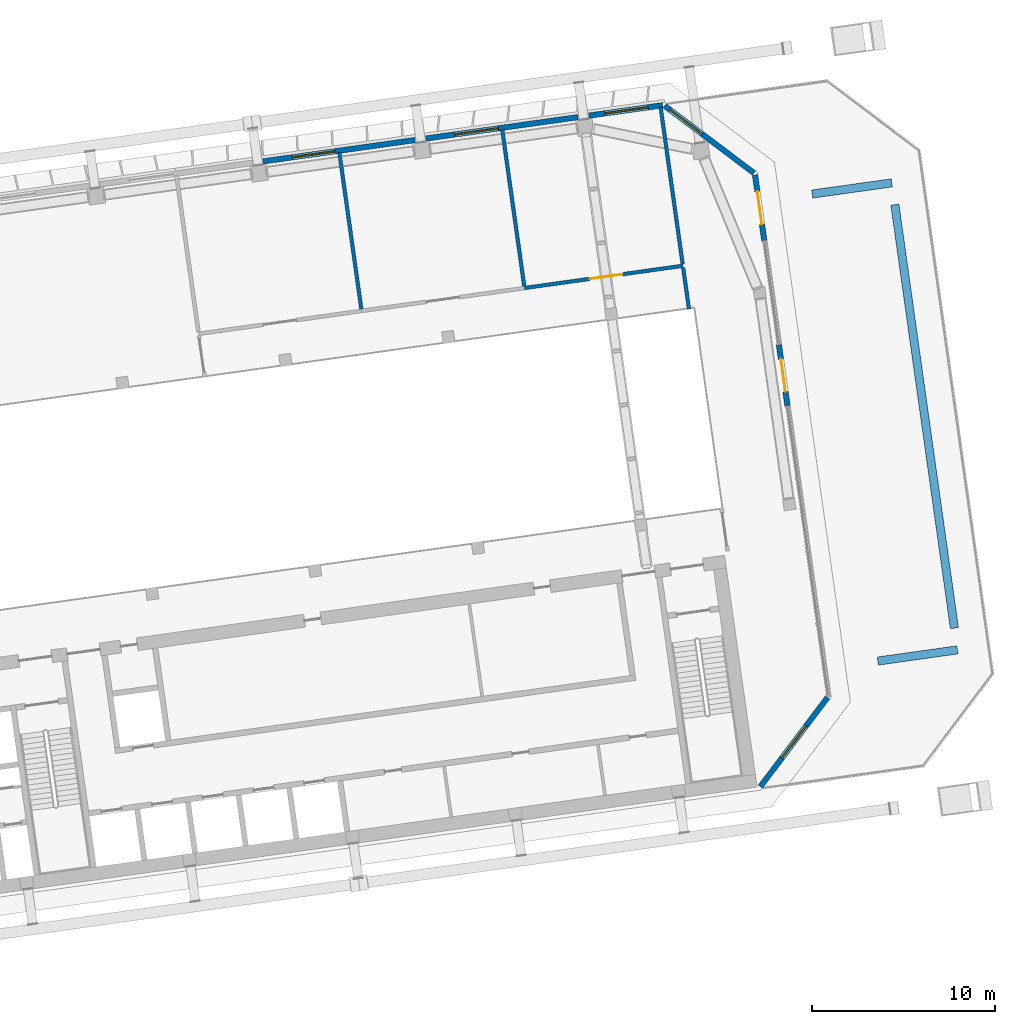
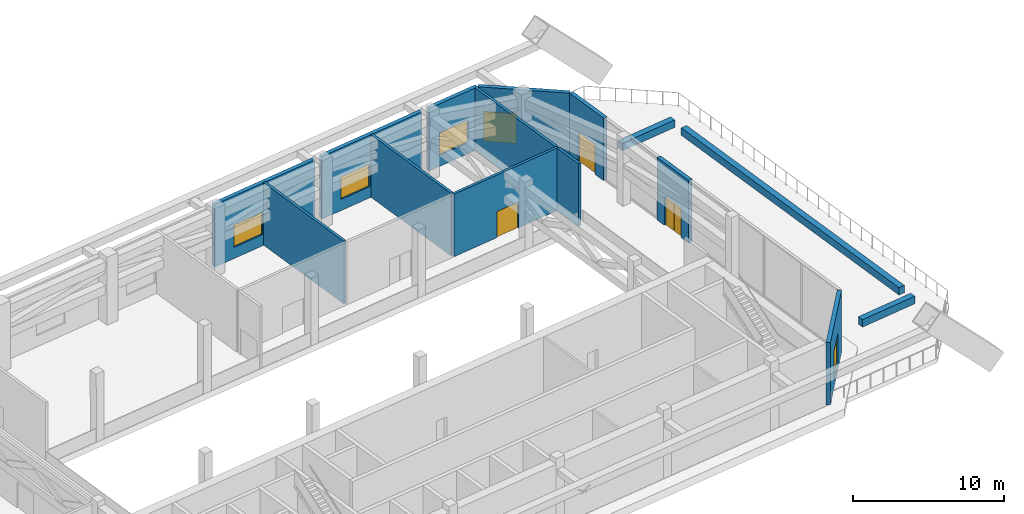
# One storey, part 25 of 41: 15 walls, 5 windows, 3 doors, 8 openings.
"""IFC4 building model written with IfcOpenShell, lengths in metres."""

from ifc_helpers import new_model, si_unit, direction, frame, frame_2d, origin, place, context, subcontext, project, spatial, rectangle, extrude, material, layer, layer_set, type_object, element, fill, save


model = new_model("IFC4")

# Units and contexts
model_context = context("Model", 3, precision=1e-05, world=origin(), true_north=direction((0.0, 1.0)))
body_context = subcontext(model_context, "Body", "Model", "MODEL_VIEW")
ifc_project = project(units=[si_unit("LENGTHUNIT", "METRE"), si_unit("AREAUNIT", "SQUARE_METRE"), si_unit("VOLUMEUNIT", "CUBIC_METRE"), si_unit("PLANEANGLEUNIT", "RADIAN"), si_unit("MASSUNIT", "GRAM", prefix="KILO")], contexts=[model_context])

# Site, building, storey
site_placement = place(None, origin())
site = spatial("IfcSite", under=ifc_project, at=site_placement, CompositionType="ELEMENT")
building_placement = place(site_placement, origin())
building = spatial("IfcBuilding", under=site, at=building_placement, Name="Mirante Cascada Hotel Towers", CompositionType="ELEMENT")
storey_placement = place(building_placement, frame((0.0, 0.0, 151.9)))
storey = spatial("IfcBuildingStorey", under=building, at=storey_placement, Name="L35", CompositionType="ELEMENT", Elevation=151.9)

# Walls
ifc_material_1 = material(Name="Precast concrete C40/50", Category="concrete")
ifc_layer_1 = layer(ifc_material_1, 0.45)
ifc_layer_set_1 = layer_set([ifc_layer_1], Name="Planter wall 450 concrete C40/50")
wall_type_1 = type_object("IfcWallType", Name="Planter wall 450 concrete C40/50", PredefinedType="PARAPET", material=ifc_layer_set_1)
for number, where, z_axis, x_axis, name in (
    (1, (96.955, -5.6169, 0.0), (0.0, 0.0, 1.0), (0.990267, 0.139181, 0.0), "PLANTER T2 L35 bed 1"),
    (2, (93.3643, 19.932, 0.0), (0.0, 0.0, 1.0), (0.990267, 0.139181, 0.0), "PLANTER T2 L35 bed 2"),
):
    element("IfcWall", number, at=place(storey_placement, frame(where, z_axis=z_axis, x_axis=x_axis)), inside=storey, type_object=wall_type_1, Name=name, PredefinedType="PARAPET", context=body_context, shape_type="SweptSolid", body=[
        extrude(rectangle(XDim=4.4, YDim=0.45, at=frame_2d((2.2, 0.0))), origin(), (0.0, 0.0, 1.0), 0.6),
    ])
wall_1_placement = place(storey_placement, frame((101.1451, -3.8162, 0.0), z_axis=(0.0, 0.0, 1.0), x_axis=(-0.1391708, 0.9902684, 0.0)))
element("IfcWall", 3, at=wall_1_placement, inside=storey, type_object=wall_type_1, Name="PLANTER T2 L35 bed 3", PredefinedType="PARAPET", context=body_context, shape_type="SweptSolid", body=[
    extrude(rectangle(XDim=23.4, YDim=0.45, at=frame_2d((11.7, 0.0))), origin(), (0.0, 0.0, 1.0), 0.6),
])

# Wall, opening, window
ifc_material_2 = material(Name="Precast concrete C40/50", Category="concrete")
ifc_layer_2 = layer(ifc_material_2, 0.3)
ifc_layer_set_2 = layer_set([ifc_layer_2], Name="Precast concrete C40/50 cladding wall 300")
wall_type_2 = type_object("IfcWallType", Name="Precast concrete C40/50 cladding wall 300", PredefinedType="STANDARD", material=ifc_layer_set_2)
wall_2_placement = place(storey_placement, frame((63.3233, 21.7185, 0.0), z_axis=(0.0, 0.0, 1.0), x_axis=(0.9902674, 0.1391777, 0.0)))
wall_2 = element("IfcWall", 4, at=wall_2_placement, inside=storey, type_object=wall_type_2, Name="Cladding pier wall T2 L35 front 5", PredefinedType="STANDARD", context=body_context, shape_type="SweptSolid", body=[
    extrude(rectangle(XDim=8.4001, YDim=0.3, at=frame_2d((4.2, 0.0))), origin(), (0.0, 0.0, 1.0), 5.05),
])
opening_1_placement = place(wall_2_placement, frame((1.6, 0.0, 0.9)))
opening_1 = element("IfcOpeningElement", 5, at=opening_1_placement, cuts=wall_2, Name="Opening W2-35-05", PredefinedType="OPENING", context=body_context, shape_type="SweptSolid", body=[
    extrude(rectangle(XDim=2.4, YDim=1.8, at=frame_2d((1.2, 0.9))), frame((0.0, 0.15, 0.0), z_axis=(0.0, -1.0, 0.0), x_axis=(1.0, 0.0, 0.0)), (0.0, 0.0, 1.0), 0.3),
])
ifc_material_3 = material(Name="Aluminium frame with clear double glazing", Category="aluminium")
window_type_1 = type_object("IfcWindowType", Name="Punched window 2400x1800", PartitioningType="DOUBLE_PANEL_VERTICAL", PredefinedType="WINDOW", material=ifc_material_3)
window_1_placement = place(opening_1_placement, origin())
window_1 = element("IfcWindow", 6, at=window_1_placement, inside=storey, type_object=window_type_1, Name="Window W2-35-05", OverallHeight=1.8, OverallWidth=2.4, PartitioningType="SINGLE_PANEL", PredefinedType="WINDOW", context=body_context, shape_type="SweptSolid", body=[
    extrude(rectangle(XDim=2.4, YDim=1.8, at=frame_2d((1.2, 0.9))), frame((0.0, 0.03, 0.0), z_axis=(0.0, -1.0, 0.0), x_axis=(1.0, 0.0, 0.0)), (0.0, 0.0, 1.0), 0.06),
])
fill(opening_1, window_1)

wall_3_placement = place(storey_placement, frame((72.2357, 22.9711, 0.0), z_axis=(0.0, 0.0, 1.0), x_axis=(0.9902691, 0.139166, 0.0)))
wall_3 = element("IfcWall", 7, at=wall_3_placement, inside=storey, type_object=wall_type_2, Name="Cladding pier wall T2 L35 front 6", PredefinedType="STANDARD", context=body_context, shape_type="SweptSolid", body=[
    extrude(rectangle(XDim=8.4, YDim=0.3, at=frame_2d((4.2, 0.0))), origin(), (0.0, 0.0, 1.0), 5.05),
])
opening_2_placement = place(wall_3_placement, frame((1.6, 0.0, 0.9)))
opening_2 = element("IfcOpeningElement", 8, at=opening_2_placement, cuts=wall_3, Name="Opening W2-35-06", PredefinedType="OPENING", context=body_context, shape_type="SweptSolid", body=[
    extrude(rectangle(XDim=2.4, YDim=1.8, at=frame_2d((1.2, 0.9))), frame((0.0, 0.15, 0.0), z_axis=(0.0, -1.0, 0.0), x_axis=(1.0, 0.0, 0.0)), (0.0, 0.0, 1.0), 0.3),
])
window_2_placement = place(opening_2_placement, origin())
window_2 = element("IfcWindow", 9, at=window_2_placement, inside=storey, type_object=window_type_1, Name="Window W2-35-06", OverallHeight=1.8, OverallWidth=2.4, PartitioningType="SINGLE_PANEL", PredefinedType="WINDOW", context=body_context, shape_type="SweptSolid", body=[
    extrude(rectangle(XDim=2.4, YDim=1.8, at=frame_2d((1.2, 0.9))), frame((0.0, 0.03, 0.0), z_axis=(0.0, -1.0, 0.0), x_axis=(1.0, 0.0, 0.0)), (0.0, 0.0, 1.0), 0.06),
])
fill(opening_2, window_2)

wall_4_placement = place(storey_placement, frame((81.1481, 24.2237, 0.0), z_axis=(0.0, 0.0, 1.0), x_axis=(0.9902698, 0.1391609, 0.0)))
wall_4 = element("IfcWall", 10, at=wall_4_placement, inside=storey, type_object=wall_type_2, Name="Cladding pier wall T2 L35 front 7", PredefinedType="STANDARD", context=body_context, shape_type="SweptSolid", body=[
    extrude(rectangle(XDim=4.0759, YDim=0.3, at=frame_2d((2.038, 0.0))), origin(), (0.0, 0.0, 1.0), 5.05),
])
opening_3_placement = place(wall_4_placement, frame((0.8689, 0.0, 0.9)))
opening_3 = element("IfcOpeningElement", 11, at=opening_3_placement, cuts=wall_4, Name="Opening W2-35-07", PredefinedType="OPENING", context=body_context, shape_type="SweptSolid", body=[
    extrude(rectangle(XDim=2.4, YDim=1.8, at=frame_2d((1.2, 0.9))), frame((0.0, 0.15, 0.0), z_axis=(0.0, -1.0, 0.0), x_axis=(1.0, 0.0, 0.0)), (0.0, 0.0, 1.0), 0.3),
])
window_3_placement = place(opening_3_placement, origin())
window_3 = element("IfcWindow", 12, at=window_3_placement, inside=storey, type_object=window_type_1, Name="Window W2-35-07", OverallHeight=1.8, OverallWidth=2.4, PartitioningType="SINGLE_PANEL", PredefinedType="WINDOW", context=body_context, shape_type="SweptSolid", body=[
    extrude(rectangle(XDim=2.4, YDim=1.8, at=frame_2d((1.2, 0.9))), frame((0.0, 0.03, 0.0), z_axis=(0.0, -1.0, 0.0), x_axis=(1.0, 0.0, 0.0)), (0.0, 0.0, 1.0), 0.06),
])
fill(opening_3, window_3)

wall_5_placement = place(storey_placement, frame((90.5299, -12.4841, 0.0), z_axis=(0.0, 0.0, 1.0), x_axis=(0.6018063, 0.7986421, 0.0)))
wall_5 = element("IfcWall", 13, at=wall_5_placement, inside=storey, type_object=wall_type_2, Name="Corner cladding wall T2 L35 rear outer", PredefinedType="STANDARD", context=body_context, shape_type="SweptSolid", body=[
    extrude(rectangle(XDim=6.1158, YDim=0.3, at=frame_2d((3.0579, 0.0))), origin(), (0.0, 0.0, 1.0), 5.05),
])
opening_4_placement = place(wall_5_placement, frame((1.9578, 0.0, 0.6)))
opening_4 = element("IfcOpeningElement", 14, at=opening_4_placement, cuts=wall_5, Name="Opening W2-35-08", PredefinedType="OPENING", context=body_context, shape_type="SweptSolid", body=[
    extrude(rectangle(XDim=2.2, YDim=2.4, at=frame_2d((1.1, 1.2))), frame((0.0, 0.15, 0.0), z_axis=(0.0, -1.0, 0.0), x_axis=(1.0, 0.0, 0.0)), (0.0, 0.0, 1.0), 0.3),
])
ifc_material_4 = material(Name="Aluminium frame with clear double glazing", Category="aluminium")
window_type_2 = type_object("IfcWindowType", Name="Corner suite window 2200x2400", PartitioningType="DOUBLE_PANEL_VERTICAL", PredefinedType="WINDOW", material=ifc_material_4)
window_4_placement = place(opening_4_placement, origin())
window_4 = element("IfcWindow", 15, at=window_4_placement, inside=storey, type_object=window_type_2, Name="Window W2-35-08", OverallHeight=2.4, OverallWidth=2.2, PartitioningType="SINGLE_PANEL", PredefinedType="WINDOW", context=body_context, shape_type="SweptSolid", body=[
    extrude(rectangle(XDim=2.2, YDim=2.4, at=frame_2d((1.1, 1.2))), frame((0.0, 0.03, 0.0), z_axis=(0.0, -1.0, 0.0), x_axis=(1.0, 0.0, 0.0)), (0.0, 0.0, 1.0), 0.06),
])
fill(opening_4, window_4)

wall_6_placement = place(storey_placement, frame((90.1793, 21.0818, 0.0), z_axis=(0.0, 0.0, 1.0), x_axis=(-0.7986341, 0.6018168, 0.0)))
wall_6 = element("IfcWall", 16, at=wall_6_placement, inside=storey, type_object=wall_type_2, Name="Corner cladding wall T2 L35 outer front", PredefinedType="STANDARD", context=body_context, shape_type="SweptSolid", body=[
    extrude(rectangle(XDim=6.1153, YDim=0.3, at=frame_2d((3.0577, 0.0))), origin(), (0.0, 0.0, 1.0), 5.05),
])
opening_5_placement = place(wall_6_placement, frame((3.5518, 0.0, 0.6)))
opening_5 = element("IfcOpeningElement", 17, at=opening_5_placement, cuts=wall_6, Name="Opening W2-35-09", PredefinedType="OPENING", context=body_context, shape_type="SweptSolid", body=[
    extrude(rectangle(XDim=2.2, YDim=2.4, at=frame_2d((1.1, 1.2))), frame((0.0, 0.15, 0.0), z_axis=(0.0, -1.0, 0.0), x_axis=(1.0, 0.0, 0.0)), (0.0, 0.0, 1.0), 0.3),
])
window_5_placement = place(opening_5_placement, origin())
window_5 = element("IfcWindow", 18, at=window_5_placement, inside=storey, type_object=window_type_2, Name="Window W2-35-09", OverallHeight=2.4, OverallWidth=2.2, PartitioningType="SINGLE_PANEL", PredefinedType="WINDOW", context=body_context, shape_type="SweptSolid", body=[
    extrude(rectangle(XDim=2.2, YDim=2.4, at=frame_2d((1.1, 1.2))), frame((0.0, 0.03, 0.0), z_axis=(0.0, -1.0, 0.0), x_axis=(1.0, 0.0, 0.0)), (0.0, 0.0, 1.0), 0.06),
])
fill(opening_5, window_5)

# Wall, opening, door
ifc_material_5 = material(Name="Precast concrete C40/50", Category="concrete")
ifc_layer_3 = layer(ifc_material_5, 0.3)
ifc_layer_set_3 = layer_set([ifc_layer_3], Name="Precast concrete C40/50 terrace wall 300")
wall_type_3 = type_object("IfcWallType", Name="Precast concrete C40/50 terrace wall 300", PredefinedType="STANDARD", material=ifc_layer_set_3)
wall_7_placement = place(storey_placement, frame((92.0157, 8.3315, 0.0), z_axis=(0.0, 0.0, 1.0), x_axis=(-0.1391769, 0.9902675, 0.0)))
wall_7 = element("IfcWall", 19, at=wall_7_placement, inside=storey, type_object=wall_type_3, Name="Lounge door pier wall T2 L35 2", PredefinedType="STANDARD", context=body_context, shape_type="SweptSolid", body=[
    extrude(rectangle(XDim=3.4, YDim=0.3, at=frame_2d((1.7, 0.0))), origin(), (0.0, 0.0, 1.0), 5.05),
])
opening_6_placement = place(wall_7_placement, frame((0.8, 0.0, 0.0)))
opening_6 = element("IfcOpeningElement", 20, at=opening_6_placement, cuts=wall_7, Name="Opening D2-35-91", PredefinedType="OPENING", context=body_context, shape_type="SweptSolid", body=[
    extrude(rectangle(XDim=1.8, YDim=2.4, at=frame_2d((0.9, 1.2))), frame((0.0, 0.15, 0.0), z_axis=(0.0, -1.0, 0.0), x_axis=(1.0, 0.0, 0.0)), (0.0, 0.0, 1.0), 0.3),
])
ifc_material_6 = material(Name="Aluminium frame with clear laminated glazing", Category="aluminium")
door_type_1 = type_object("IfcDoorType", Name="Terrace double door 1800x2400", OperationType="DOUBLE_DOOR_SINGLE_SWING", PredefinedType="DOOR", material=ifc_material_6)
door_1_placement = place(opening_6_placement, origin())
door_1 = element("IfcDoor", 21, at=door_1_placement, inside=storey, type_object=door_type_1, Name="Terrace door D2-35-91", OperationType="DOUBLE_DOOR_SINGLE_SWING", OverallHeight=2.4, OverallWidth=1.8, PredefinedType="DOOR", context=body_context, shape_type="SweptSolid", body=[
    extrude(rectangle(XDim=0.895, YDim=2.4, at=frame_2d((0.4475, 1.2))), frame((0.0, 0.025, 0.0), z_axis=(0.0, -1.0, 0.0), x_axis=(1.0, 0.0, 0.0)), (0.0, 0.0, 1.0), 0.05),
    extrude(rectangle(XDim=0.895, YDim=2.4, at=frame_2d((1.3525, 1.2))), frame((0.0, 0.025, 0.0), z_axis=(0.0, -1.0, 0.0), x_axis=(1.0, 0.0, 0.0)), (0.0, 0.0, 1.0), 0.05),
])
fill(opening_6, door_1)

wall_8_placement = place(storey_placement, frame((90.7439, 17.3804, 0.0), z_axis=(0.0, 0.0, 1.0), x_axis=(-0.1391735, 0.990268, 0.0)))
wall_8 = element("IfcWall", 22, at=wall_8_placement, inside=storey, type_object=wall_type_3, Name="Lounge door pier wall T2 L35 4", PredefinedType="STANDARD", context=body_context, shape_type="SweptSolid", body=[
    extrude(rectangle(XDim=3.6379, YDim=0.3, at=frame_2d((1.819, 0.0))), origin(), (0.0, 0.0, 1.0), 5.05),
])
opening_7_placement = place(wall_8_placement, frame((0.919, 0.0, 0.0)))
opening_7 = element("IfcOpeningElement", 23, at=opening_7_placement, cuts=wall_8, Name="Opening D2-35-92", PredefinedType="OPENING", context=body_context, shape_type="SweptSolid", body=[
    extrude(rectangle(XDim=1.8, YDim=2.4, at=frame_2d((0.9, 1.2))), frame((0.0, 0.15, 0.0), z_axis=(0.0, -1.0, 0.0), x_axis=(1.0, 0.0, 0.0)), (0.0, 0.0, 1.0), 0.3),
])
door_2_placement = place(opening_7_placement, origin())
door_2 = element("IfcDoor", 24, at=door_2_placement, inside=storey, type_object=door_type_1, Name="Terrace door D2-35-92", OperationType="DOUBLE_DOOR_SINGLE_SWING", OverallHeight=2.4, OverallWidth=1.8, PredefinedType="DOOR", context=body_context, shape_type="SweptSolid", body=[
    extrude(rectangle(XDim=0.895, YDim=2.4, at=frame_2d((0.4475, 1.2))), frame((0.0, 0.025, 0.0), z_axis=(0.0, -1.0, 0.0), x_axis=(1.0, 0.0, 0.0)), (0.0, 0.0, 1.0), 0.05),
    extrude(rectangle(XDim=0.895, YDim=2.4, at=frame_2d((1.3525, 1.2))), frame((0.0, 0.025, 0.0), z_axis=(0.0, -1.0, 0.0), x_axis=(1.0, 0.0, 0.0)), (0.0, 0.0, 1.0), 0.05),
])
fill(opening_7, door_2)

ifc_material_7 = material(Name="Masonry block", Category="masonry")
ifc_layer_4 = layer(ifc_material_7, 0.2)
ifc_layer_set_4 = layer_set([ifc_layer_4], Name="Refuge and plant wall 200 block EI 120")
wall_type_4 = type_object("IfcWallType", Name="Refuge and plant wall 200 block EI 120", PredefinedType="PARTITIONING", material=ifc_layer_set_4)
wall_9_placement = place(storey_placement, frame((77.6265, 14.7917, 0.0), z_axis=(0.0, 0.0, 1.0), x_axis=(0.9902676, 0.1391762, 0.0)))
wall_9 = element("IfcWall", 25, at=wall_9_placement, inside=storey, type_object=wall_type_4, Name="Refuge floor wall T2 L35 S4", PredefinedType="PARTITIONING", context=body_context, shape_type="SweptSolid", body=[
    extrude(rectangle(XDim=8.7501, YDim=0.2, at=frame_2d((4.375, 0.0))), origin(), (0.0, 0.0, 1.0), 5.05),
])
opening_8_placement = place(wall_9_placement, frame((3.6, 0.0, 0.0)))
opening_8 = element("IfcOpeningElement", 26, at=opening_8_placement, cuts=wall_9, Name="Opening D2-35-S07", PredefinedType="OPENING", context=body_context, shape_type="SweptSolid", body=[
    extrude(rectangle(XDim=1.8, YDim=2.1, at=frame_2d((0.9, 1.05))), frame((0.0, 0.1, 0.0), z_axis=(0.0, -1.0, 0.0), x_axis=(1.0, 0.0, 0.0)), (0.0, 0.0, 1.0), 0.2),
])
ifc_material_8 = material(Name="Hollow metal fire door leaf")
door_type_2 = type_object("IfcDoorType", Name="Refuge and plant double door 1800x2100 FD60", OperationType="DOUBLE_DOOR_SINGLE_SWING", PredefinedType="DOOR", material=ifc_material_8)
door_3_placement = place(opening_8_placement, origin())
door_3 = element("IfcDoor", 27, at=door_3_placement, inside=storey, type_object=door_type_2, Name="Fire door T2 L35 s7", OperationType="DOUBLE_DOOR_SINGLE_SWING", OverallHeight=2.1, OverallWidth=1.8, PredefinedType="DOOR", context=body_context, shape_type="SweptSolid", body=[
    extrude(rectangle(XDim=0.895, YDim=2.1, at=frame_2d((0.4475, 1.05))), frame((0.0, 0.025, 0.0), z_axis=(0.0, -1.0, 0.0), x_axis=(1.0, 0.0, 0.0)), (0.0, 0.0, 1.0), 0.05),
    extrude(rectangle(XDim=0.895, YDim=2.1, at=frame_2d((1.3525, 1.05))), frame((0.0, 0.025, 0.0), z_axis=(0.0, -1.0, 0.0), x_axis=(1.0, 0.0, 0.0)), (0.0, 0.0, 1.0), 0.05),
])
fill(opening_8, door_3)

# Walls
for number, where, z_axis, x_axis, name in (
    (28, (68.7002, 13.6382, 0.0), (0.0, 0.0, 1.0), (-0.139168, 0.9902688, 0.0), "Refuge floor wall T2 L35 S9"),
    (29, (77.6126, 14.8908, 0.0), (0.0, 0.0, 1.0), (-0.139168, 0.9902688, 0.0), "Refuge floor wall T2 L35 S10"),
):
    element("IfcWall", number, at=place(storey_placement, frame(where, z_axis=z_axis, x_axis=x_axis)), inside=storey, type_object=wall_type_4, Name=name, PredefinedType="PARTITIONING", context=body_context, shape_type="SweptSolid", body=[
        extrude(rectangle(XDim=8.65, YDim=0.2, at=frame_2d((4.325, 0.0))), origin(), (0.0, 0.0, 1.0), 5.05),
    ])
wall_10_placement = place(storey_placement, frame((86.6254, 13.6329, 0.0), z_axis=(0.0, 0.0, 1.0), x_axis=(-0.1391749, 0.9902678, 0.0)))
element("IfcWall", 30, at=wall_10_placement, inside=storey, type_object=wall_type_4, Name="Refuge floor wall T2 L35 S11", PredefinedType="PARTITIONING", context=body_context, shape_type="SweptSolid", body=[
    extrude(rectangle(XDim=2.3, YDim=0.2, at=frame_2d((1.15, 0.0))), origin(), (0.0, 0.0, 1.0), 5.05),
])
wall_11_placement = place(storey_placement, frame((86.2775, 16.1085, 0.0), z_axis=(0.0, 0.0, 1.0), x_axis=(-0.1391778, 0.9902674, 0.0)))
element("IfcWall", 31, at=wall_11_placement, inside=storey, type_object=wall_type_4, Name="Refuge floor wall T2 L35 S12", PredefinedType="PARTITIONING", context=body_context, shape_type="SweptSolid", body=[
    extrude(rectangle(XDim=8.6501, YDim=0.2, at=frame_2d((4.325, 0.0))), origin(), (0.0, 0.0, 1.0), 5.05),
])

save(model, "model.ifc")
